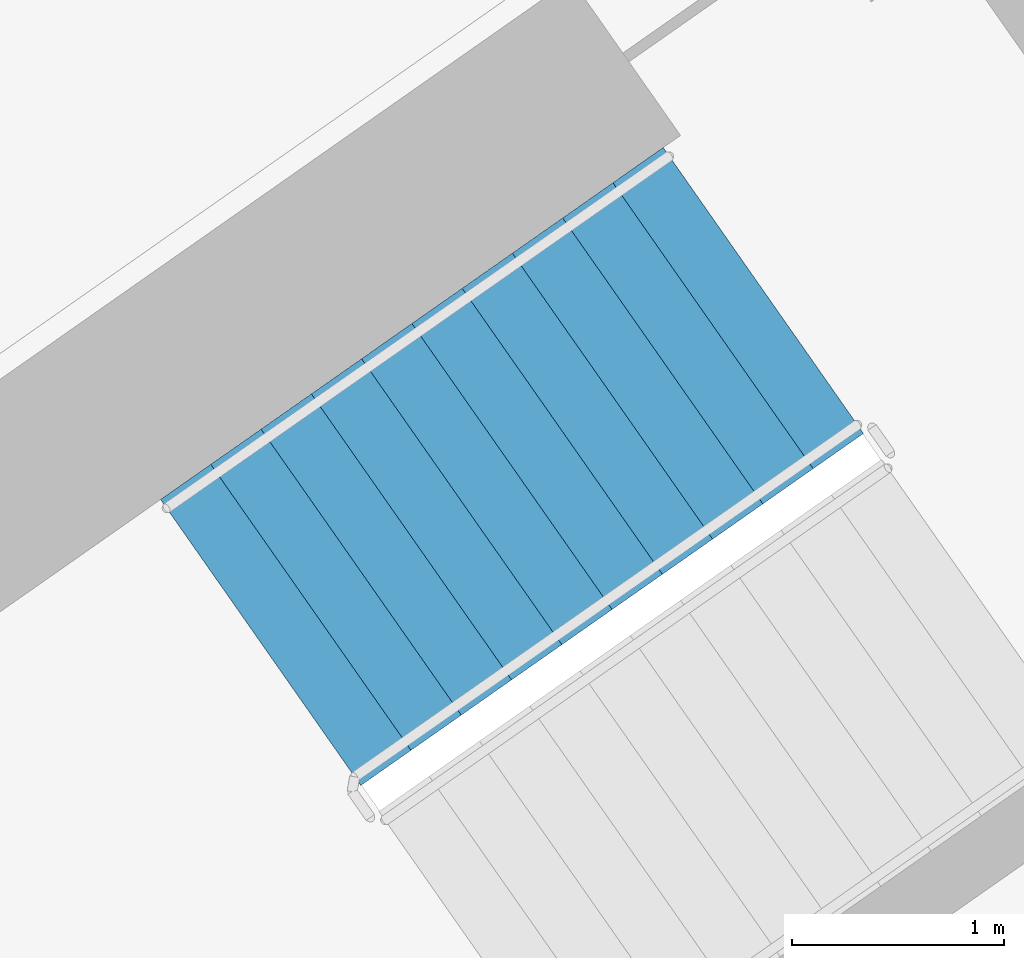
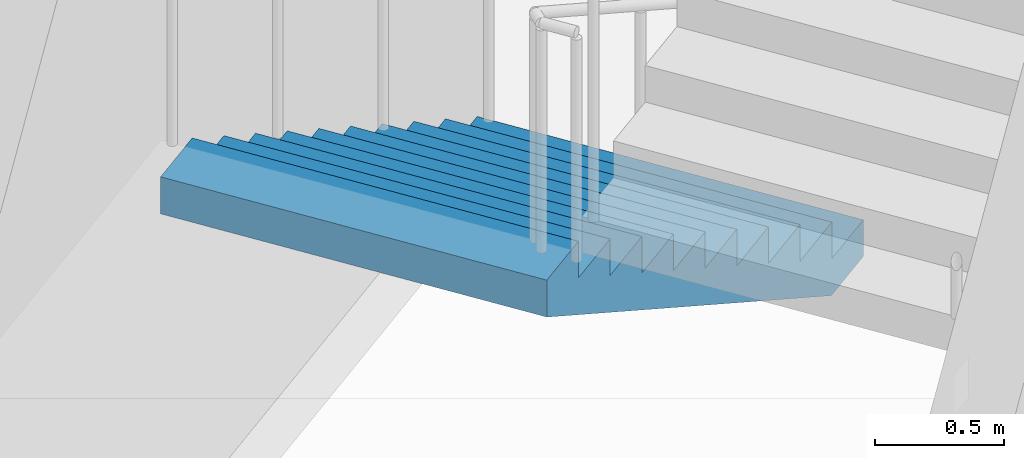
# One storey, part 15 of 33: 1 stair flight, 1 element without a shape of its own.
"""IFC4 building model written with IfcOpenShell, lengths in metres."""

import ifcopenshell
import ifcopenshell.guid

model = None  # the IFC model being written
_history = None  # IfcOwnerHistory: only IFC2X3 demands one
_inside = {}  # id of a spatial element -> (the spatial element, [elements in it])
_under = {}  # id of a project, library or spatial element -> (it, [spatial elements below it])
_declared = {}  # id of a project -> (the project, [libraries it declares])
_typed = {}  # id of a type object -> (the type object, [elements of that type])
_made_of = {}  # id of a material, layer set ... -> (it, [elements and type objects made of it])


def new_model(schema):
    """Start an empty IFC model of exactly this schema.

    Asked for "IFC4X3", IfcOpenShell would pick the latest addendum, in which some entities
    have other attributes; the version numbers below select the first issue.
    IFC2X3 requires an IfcOwnerHistory on every rooted entity: one is made here for all.
    """
    global model, _history
    if schema == "IFC4X3":
        model = ifcopenshell.file(schema_version=(4, 3, 0, 0))
    else:
        model = ifcopenshell.file(schema=schema)
    _inside.clear()
    _under.clear()
    _declared.clear()
    _typed.clear()
    _made_of.clear()
    _history = None
    if model.schema == "IFC2X3":
        org = make("IfcOrganization", Name="unknown")
        user = make(
            "IfcPersonAndOrganization",
            ThePerson=make("IfcPerson", FamilyName="unknown"),
            TheOrganization=org,
        )
        app = make(
            "IfcApplication",
            ApplicationDeveloper=org,
            Version="unknown",
            ApplicationFullName="unknown",
            ApplicationIdentifier="unknown",
        )
        _history = make(
            "IfcOwnerHistory",
            OwningUser=user,
            OwningApplication=app,
            ChangeAction="ADDED",
            CreationDate=0,
        )
    return model


def make(cls, **values):
    """One entity of the class cls with the attributes given. An attribute that is None is left unset."""
    return model.create_entity(
        cls, **{name: value for name, value in values.items() if value is not None}
    )


def rooted(cls, **values):
    """An entity with a GlobalId (a new one), such as an element, a storey or a relation."""
    return make(cls, GlobalId=ifcopenshell.guid.new(), OwnerHistory=_history, **values)


def si_unit(unit_type, name, prefix=None):
    """IfcSIUnit, for example si_unit("LENGTHUNIT", "METRE", prefix="MILLI")."""
    return make("IfcSIUnit", UnitType=unit_type, Prefix=prefix, Name=name)


def assignment(units):
    """IfcUnitAssignment: the units of a project."""
    return None if units is None else make("IfcUnitAssignment", Units=units)


def point(xyz):
    """IfcCartesianPoint."""
    return None if xyz is None else make("IfcCartesianPoint", Coordinates=xyz)


def direction(xyz):
    """IfcDirection."""
    return None if xyz is None else make("IfcDirection", DirectionRatios=xyz)


def frame(location, z_axis=None, x_axis=None):
    """IfcAxis2Placement3D, a coordinate frame: its origin and axes. An axis left out is left unset."""
    return make(
        "IfcAxis2Placement3D",
        Location=point(location),
        Axis=direction(z_axis),
        RefDirection=direction(x_axis),
    )


def origin():
    """The frame at (0, 0, 0) with its axes left unset."""
    return frame((0.0, 0.0, 0.0))


def place(relative_to, where):
    """IfcLocalPlacement: puts the frame where relative to a parent placement (None: the world)."""
    return make(
        "IfcLocalPlacement", PlacementRelTo=relative_to, RelativePlacement=where
    )


def context(
    kind, dimensions, precision=None, world=None, true_north=None, identifier=None
):
    """IfcGeometricRepresentationContext, for example the 3D "Model" context."""
    return make(
        "IfcGeometricRepresentationContext",
        ContextIdentifier=identifier,
        ContextType=kind,
        CoordinateSpaceDimension=dimensions,
        Precision=precision,
        WorldCoordinateSystem=world,
        TrueNorth=true_north,
    )


def subcontext(parent, identifier, kind, view, scale=None):
    """IfcGeometricRepresentationSubContext, for example "Body" below "Model"."""
    return make(
        "IfcGeometricRepresentationSubContext",
        ContextIdentifier=identifier,
        ContextType=kind,
        ParentContext=parent,
        TargetScale=scale,
        TargetView=view,
    )


def project(units=None, contexts=None):
    """IfcProject with its units and contexts."""
    return rooted(
        "IfcProject",
        Name="project",
        RepresentationContexts=contexts,
        UnitsInContext=assignment(units),
    )


def spatial(cls, under=None, at=None, **own):
    """A site, building, storey or space (cls), placed at a placement, below another one or the project."""
    s = rooted(cls, ObjectPlacement=at, **own)
    if under is not None:
        _under.setdefault(under.id(), (under, []))[1].append(s)
    return s


def faces_of(points, faces, orient=None, outer=None):
    """IfcFace entities. A face is a list of loops; a loop is a list of indices into points, from 0.

    orient and outer hold one flag for each loop. By default every Orientation is true, the
    first loop of a face is its IfcFaceOuterBound and the others are IfcFaceBound.
    """
    made = []
    for i, loops in enumerate(faces):
        bounds = []
        for j, loop in enumerate(loops):
            is_outer = j == 0 if outer is None else outer[i][j]
            bounds.append(
                make(
                    "IfcFaceOuterBound" if is_outer else "IfcFaceBound",
                    Bound=make("IfcPolyLoop", Polygon=[points[k] for k in loop]),
                    Orientation=True if orient is None else orient[i][j],
                )
            )
        made.append(make("IfcFace", Bounds=bounds))
    return made


def faceted_brep(points, faces, orient=None, outer=None, voids=None):
    """IfcFacetedBrep: a solid bounded by flat faces; with voids (closed shells), ...WithVoids."""
    shared = [point(p) for p in points]
    hull = make("IfcClosedShell", CfsFaces=faces_of(shared, faces, orient, outer))
    if voids is None:
        return make("IfcFacetedBrep", Outer=hull)
    return make(
        "IfcFacetedBrepWithVoids",
        Outer=hull,
        Voids=[
            make(cls, CfsFaces=faces_of(shared, fs, o, b)) for cls, fs, o, b in voids
        ],
    )


def shape(context_of_items, identifier, shape_type, items):
    """IfcShapeRepresentation: the items that make up one representation, for example the "Body"."""
    return make(
        "IfcShapeRepresentation",
        ContextOfItems=context_of_items,
        RepresentationIdentifier=identifier,
        RepresentationType=shape_type,
        Items=items,
    )


def material(Name=None, Category=None):
    """IfcMaterial."""
    return make("IfcMaterial", Name=Name, Category=Category)


def made_of(thing, what):
    """Note that an element or type object is made of a material, layer set ...; save() writes the relation."""
    if what is not None:
        _made_of.setdefault(what.id(), (what, []))[1].append(thing)
    return thing


def type_object(cls, material=None, **own):
    """A type object (cls), such as IfcWallType, which elements share."""
    return made_of(rooted(cls, **own), material)


def element(
    cls,
    number,
    at=None,
    inside=None,
    cuts=None,
    type_object=None,
    material=None,
    context=None,
    identifier="Body",
    shape_type=None,
    held_by="IfcProductDefinitionShape",
    body=None,
    shapes=None,
    **own,
):
    """One element of the class cls, such as IfcWall. Its Tag is "e" and its number.

    at: its placement. inside: the storey or other place that contains it. cuts: it is an
    opening in that element (IfcRelVoidsElement). A single representation is given by context,
    identifier, shape_type and body (its items); several are given by shapes. held_by: the class
    of the entity that holds the representations. save() writes the other relations.
    """
    e = rooted(cls, Tag="e%d" % number, ObjectPlacement=at, **own)
    if body is not None:
        shapes = [shape(context, identifier, shape_type, body)]
    if shapes is not None:
        e.Representation = make(held_by, Representations=shapes)
    if inside is not None:
        _inside.setdefault(inside.id(), (inside, []))[1].append(e)
    if cuts is not None:
        rooted(
            "IfcRelVoidsElement", RelatingBuildingElement=cuts, RelatedOpeningElement=e
        )
    if type_object is not None:
        _typed.setdefault(type_object.id(), (type_object, []))[1].append(e)
    return made_of(e, material)


def aggregate(whole, parts):
    """IfcRelAggregates: a whole, such as a stair, and the parts it consists of."""
    return rooted("IfcRelAggregates", RelatingObject=whole, RelatedObjects=parts)


def save(model, path):
    """Write the relations noted so far, then the file.

    IfcRelAggregates (storeys below a building ...), IfcRelContainedInSpatialStructure (elements
    in a storey), IfcRelDefinesByType, IfcRelAssociatesMaterial and IfcRelDeclares: one each for
    every whole, place, type object, material and project.
    """
    for whole, parts in _under.values():
        aggregate(whole, parts)
    for where, things in _inside.values():
        rooted(
            "IfcRelContainedInSpatialStructure",
            RelatedElements=things,
            RelatingStructure=where,
        )
    for kind, things in _typed.values():
        rooted("IfcRelDefinesByType", RelatedObjects=things, RelatingType=kind)
    for what, things in _made_of.values():
        rooted("IfcRelAssociatesMaterial", RelatedObjects=things, RelatingMaterial=what)
    for by, libraries in _declared.values():
        rooted("IfcRelDeclares", RelatingContext=by, RelatedDefinitions=libraries)
    model.write(path)


model = new_model("IFC4")

# Units and contexts
model_context = context("Model", 3, precision=1e-05, world=origin(), true_north=direction((0.0, 1.0)))
body_context = subcontext(model_context, "Body", "Model", "MODEL_VIEW")
ifc_project = project(units=[si_unit("LENGTHUNIT", "METRE"), si_unit("AREAUNIT", "SQUARE_METRE"), si_unit("VOLUMEUNIT", "CUBIC_METRE"), si_unit("PLANEANGLEUNIT", "RADIAN"), si_unit("MASSUNIT", "GRAM", prefix="KILO")], contexts=[model_context])

# Site, building, storey
site_placement = place(None, origin())
site = spatial("IfcSite", under=ifc_project, at=site_placement, CompositionType="ELEMENT")
building_placement = place(site_placement, origin())
building = spatial("IfcBuilding", under=site, at=building_placement, Name="Qamariyya Broadcast Tower", CompositionType="ELEMENT")
storey_placement = place(building_placement, frame((0.0, 0.0, 94.89990234375)))
storey = spatial("IfcBuildingStorey", under=building, at=storey_placement, Name="L20", CompositionType="ELEMENT", Elevation=94.89990234375)

# Stair, stair flight
ifc_material = material(Name="Concrete C50/60", Category="concrete")
stair_type = type_object("IfcStairType", Name="Exit stair 22 risers of 173 mm", PredefinedType="HALF_TURN_STAIR", material=ifc_material)
stair_placement = place(storey_placement, origin())
stair = element("IfcStair", 1, at=stair_placement, inside=storey, type_object=stair_type, Name="L20 Stair E2", PredefinedType="HALF_TURN_STAIR")
stair_flight_type = type_object("IfcStairFlightType", Name="Exit stair flight 11 risers of 173 mm", PredefinedType="STRAIGHT", material=ifc_material)
stair_flight_placement = place(storey_placement, frame((40.558837890625, -47.685302734375, 0.0), z_axis=(0.0, 0.0, 1.0), x_axis=(-0.819152044289, -0.573576436351, 0.0)))
stair_flight = element("IfcStairFlight", 2, at=stair_flight_placement, type_object=stair_flight_type, Name="ST-E2 flight 1", NumberOfRisers=11, NumberOfTreads=10, PredefinedType="STRAIGHT", RiserHeight=0.172727273, TreadLength=0.29, context=body_context, shape_type="Brep", body=[
    faceted_brep([(0.0, 0.824951171875, 0.0), (0.0, 0.824951171875, 0.172607421875), (0.2900390625, 0.824951171875, 0.172607421875), (0.2900390625, 0.824951171875, 0.345458984375), (0.580078125, 0.824951171875, 0.345458984375), (0.580078125, 0.824951171875, 0.51806640625), (0.8701171875, 0.824951171875, 0.51806640625), (0.8701171875, 0.824951171875, 0.69091796875), (1.159912109375, 0.824951171875, 0.69091796875), (1.159912109375, 0.824951171875, 0.863525390625), (1.449951171875, 0.824951171875, 0.863525390625), (1.449951171875, 0.824951171875, 1.036376953125), (1.739990234375, 0.824951171875, 1.036376953125), (1.739990234375, 0.824951171875, 1.208984375), (2.030029296875, 0.824951171875, 1.208984375), (2.030029296875, 0.824951171875, 1.3818359375), (2.320068359375, 0.824951171875, 1.3818359375), (2.320068359375, 0.824951171875, 1.554443359375), (2.610107421875, 0.824951171875, 1.554443359375), (2.610107421875, 0.824951171875, 1.727294921875), (2.89990234375, 0.824951171875, 1.727294921875), (2.89990234375, 0.824951171875, 1.552734375), (0.29296875, 0.824951171875, 0.0), (0.29296875, -0.824951171875, 0.0), (2.89990234375, -0.824951171875, 1.552734375), (2.89990234375, -0.824951171875, 1.727294921875), (2.610107421875, -0.824951171875, 1.727294921875), (2.610107421875, -0.824951171875, 1.554443359375), (2.320068359375, -0.824951171875, 1.554443359375), (2.320068359375, -0.824951171875, 1.3818359375), (2.030029296875, -0.824951171875, 1.3818359375), (2.030029296875, -0.824951171875, 1.208984375), (1.739990234375, -0.824951171875, 1.208984375), (1.739990234375, -0.824951171875, 1.036376953125), (1.449951171875, -0.824951171875, 1.036376953125), (1.449951171875, -0.824951171875, 0.863525390625), (1.159912109375, -0.824951171875, 0.863525390625), (1.159912109375, -0.824951171875, 0.69091796875), (0.8701171875, -0.824951171875, 0.69091796875), (0.8701171875, -0.824951171875, 0.51806640625), (0.580078125, -0.824951171875, 0.51806640625), (0.580078125, -0.824951171875, 0.345458984375), (0.2900390625, -0.824951171875, 0.345458984375), (0.2900390625, -0.824951171875, 0.172607421875), (0.0, -0.824951171875, 0.172607421875), (0.0, -0.824951171875, 0.0), (0.0, 0.10009765625, 0.0), (0.0, 0.086669921875, 0.0), (0.0, 0.0732421875, 0.0), (0.0, 0.06005859375, 0.0), (0.0, 0.046630859375, 0.0), (0.0, 0.033447265625, 0.0), (0.0, 0.02001953125, 0.0), (0.0, 0.006591796875, 0.0), (0.0, -0.006591796875, 0.0), (0.0, -0.02001953125, 0.0), (0.0, -0.033447265625, 0.0), (0.0, -0.046630859375, 0.0), (0.0, -0.06005859375, 0.0), (0.0, -0.0732421875, 0.0), (0.0, -0.086669921875, 0.0), (0.0, -0.10009765625, 0.0), (0.0, -0.10009765625, 0.172607421875), (0.0, -0.086669921875, 0.172607421875), (0.0, -0.0732421875, 0.172607421875), (0.0, -0.06005859375, 0.172607421875), (0.0, -0.046630859375, 0.172607421875), (0.0, -0.033447265625, 0.172607421875), (0.0, -0.02001953125, 0.172607421875), (0.0, -0.006591796875, 0.172607421875), (0.0, 0.006591796875, 0.172607421875), (0.0, 0.02001953125, 0.172607421875), (0.0, 0.033447265625, 0.172607421875), (0.0, 0.046630859375, 0.172607421875), (0.0, 0.06005859375, 0.172607421875), (0.0, 0.0732421875, 0.172607421875), (0.0, 0.086669921875, 0.172607421875), (0.0, 0.10009765625, 0.172607421875), (0.2900390625, -0.10009765625, 0.172607421875), (0.2900390625, -0.086669921875, 0.172607421875), (0.2900390625, -0.0732421875, 0.172607421875), (0.2900390625, -0.06005859375, 0.172607421875), (0.2900390625, -0.046630859375, 0.172607421875), (0.2900390625, -0.033447265625, 0.172607421875), (0.2900390625, -0.02001953125, 0.172607421875), (0.2900390625, -0.006591796875, 0.172607421875), (0.2900390625, 0.006591796875, 0.172607421875), (0.2900390625, 0.02001953125, 0.172607421875), (0.2900390625, 0.033447265625, 0.172607421875), (0.2900390625, 0.046630859375, 0.172607421875), (0.2900390625, 0.06005859375, 0.172607421875), (0.2900390625, 0.0732421875, 0.172607421875), (0.2900390625, 0.086669921875, 0.172607421875), (0.2900390625, 0.10009765625, 0.172607421875), (0.2900390625, -0.10009765625, 0.345458984375), (0.2900390625, -0.086669921875, 0.345458984375), (0.2900390625, -0.0732421875, 0.345458984375), (0.2900390625, -0.06005859375, 0.345458984375), (0.2900390625, -0.046630859375, 0.345458984375), (0.2900390625, -0.033447265625, 0.345458984375), (0.2900390625, -0.02001953125, 0.345458984375), (0.2900390625, -0.006591796875, 0.345458984375), (0.2900390625, 0.006591796875, 0.345458984375), (0.2900390625, 0.02001953125, 0.345458984375), (0.2900390625, 0.033447265625, 0.345458984375), (0.2900390625, 0.046630859375, 0.345458984375), (0.2900390625, 0.06005859375, 0.345458984375), (0.2900390625, 0.0732421875, 0.345458984375), (0.2900390625, 0.086669921875, 0.345458984375), (0.2900390625, 0.10009765625, 0.345458984375), (0.580078125, -0.10009765625, 0.345458984375), (0.580078125, -0.086669921875, 0.345458984375), (0.580078125, -0.0732421875, 0.345458984375), (0.580078125, -0.06005859375, 0.345458984375), (0.580078125, -0.046630859375, 0.345458984375), (0.580078125, -0.033447265625, 0.345458984375), (0.580078125, -0.02001953125, 0.345458984375), (0.580078125, -0.006591796875, 0.345458984375), (0.580078125, 0.006591796875, 0.345458984375), (0.580078125, 0.02001953125, 0.345458984375), (0.580078125, 0.033447265625, 0.345458984375), (0.580078125, 0.046630859375, 0.345458984375), (0.580078125, 0.06005859375, 0.345458984375), (0.580078125, 0.0732421875, 0.345458984375), (0.580078125, 0.086669921875, 0.345458984375), (0.580078125, 0.10009765625, 0.345458984375), (0.580078125, -0.10009765625, 0.51806640625), (0.580078125, -0.086669921875, 0.51806640625), (0.580078125, -0.0732421875, 0.51806640625), (0.580078125, -0.06005859375, 0.51806640625), (0.580078125, -0.046630859375, 0.51806640625), (0.580078125, -0.033447265625, 0.51806640625), (0.580078125, -0.02001953125, 0.51806640625), (0.580078125, -0.006591796875, 0.51806640625), (0.580078125, 0.006591796875, 0.51806640625), (0.580078125, 0.02001953125, 0.51806640625), (0.580078125, 0.033447265625, 0.51806640625), (0.580078125, 0.046630859375, 0.51806640625), (0.580078125, 0.06005859375, 0.51806640625), (0.580078125, 0.0732421875, 0.51806640625), (0.580078125, 0.086669921875, 0.51806640625), (0.580078125, 0.10009765625, 0.51806640625), (0.8701171875, -0.10009765625, 0.51806640625), (0.8701171875, -0.086669921875, 0.51806640625), (0.8701171875, -0.0732421875, 0.51806640625), (0.8701171875, -0.06005859375, 0.51806640625), (0.8701171875, -0.046630859375, 0.51806640625), (0.8701171875, -0.033447265625, 0.51806640625), (0.8701171875, -0.02001953125, 0.51806640625), (0.8701171875, -0.006591796875, 0.51806640625), (0.8701171875, 0.006591796875, 0.51806640625), (0.8701171875, 0.02001953125, 0.51806640625), (0.8701171875, 0.033447265625, 0.51806640625), (0.8701171875, 0.046630859375, 0.51806640625), (0.8701171875, 0.06005859375, 0.51806640625), (0.8701171875, 0.0732421875, 0.51806640625), (0.8701171875, 0.086669921875, 0.51806640625), (0.8701171875, 0.10009765625, 0.51806640625), (0.8701171875, -0.10009765625, 0.69091796875), (0.8701171875, -0.086669921875, 0.69091796875), (0.8701171875, -0.0732421875, 0.69091796875), (0.8701171875, -0.06005859375, 0.69091796875), (0.8701171875, -0.046630859375, 0.69091796875), (0.8701171875, -0.033447265625, 0.69091796875), (0.8701171875, -0.02001953125, 0.69091796875), (0.8701171875, -0.006591796875, 0.69091796875), (0.8701171875, 0.006591796875, 0.69091796875), (0.8701171875, 0.02001953125, 0.69091796875), (0.8701171875, 0.033447265625, 0.69091796875), (0.8701171875, 0.046630859375, 0.69091796875), (0.8701171875, 0.06005859375, 0.69091796875), (0.8701171875, 0.0732421875, 0.69091796875), (0.8701171875, 0.086669921875, 0.69091796875), (0.8701171875, 0.10009765625, 0.69091796875), (1.159912109375, -0.10009765625, 0.69091796875), (1.159912109375, -0.086669921875, 0.69091796875), (1.159912109375, -0.0732421875, 0.69091796875), (1.159912109375, -0.06005859375, 0.69091796875), (1.159912109375, -0.046630859375, 0.69091796875), (1.159912109375, -0.033447265625, 0.69091796875), (1.159912109375, -0.02001953125, 0.69091796875), (1.159912109375, -0.006591796875, 0.69091796875), (1.159912109375, 0.006591796875, 0.69091796875), (1.159912109375, 0.02001953125, 0.69091796875), (1.159912109375, 0.033447265625, 0.69091796875), (1.159912109375, 0.046630859375, 0.69091796875), (1.159912109375, 0.06005859375, 0.69091796875), (1.159912109375, 0.0732421875, 0.69091796875), (1.159912109375, 0.086669921875, 0.69091796875), (1.159912109375, 0.10009765625, 0.69091796875), (1.159912109375, -0.10009765625, 0.863525390625), (1.159912109375, -0.086669921875, 0.863525390625), (1.159912109375, -0.0732421875, 0.863525390625), (1.159912109375, -0.06005859375, 0.863525390625), (1.159912109375, -0.046630859375, 0.863525390625), (1.159912109375, -0.033447265625, 0.863525390625), (1.159912109375, -0.02001953125, 0.863525390625), (1.159912109375, -0.006591796875, 0.863525390625), (1.159912109375, 0.006591796875, 0.863525390625), (1.159912109375, 0.02001953125, 0.863525390625), (1.159912109375, 0.033447265625, 0.863525390625), (1.159912109375, 0.046630859375, 0.863525390625), (1.159912109375, 0.06005859375, 0.863525390625), (1.159912109375, 0.0732421875, 0.863525390625), (1.159912109375, 0.086669921875, 0.863525390625), (1.159912109375, 0.10009765625, 0.863525390625), (1.449951171875, -0.10009765625, 0.863525390625), (1.449951171875, -0.086669921875, 0.863525390625), (1.449951171875, -0.0732421875, 0.863525390625), (1.449951171875, -0.06005859375, 0.863525390625), (1.449951171875, -0.046630859375, 0.863525390625), (1.449951171875, -0.033447265625, 0.863525390625), (1.449951171875, -0.02001953125, 0.863525390625), (1.449951171875, -0.006591796875, 0.863525390625), (1.449951171875, 0.006591796875, 0.863525390625), (1.449951171875, 0.02001953125, 0.863525390625), (1.449951171875, 0.033447265625, 0.863525390625), (1.449951171875, 0.046630859375, 0.863525390625), (1.449951171875, 0.06005859375, 0.863525390625), (1.449951171875, 0.0732421875, 0.863525390625), (1.449951171875, 0.086669921875, 0.863525390625), (1.449951171875, 0.10009765625, 0.863525390625), (1.449951171875, -0.10009765625, 1.036376953125), (1.449951171875, -0.086669921875, 1.036376953125), (1.449951171875, -0.0732421875, 1.036376953125), (1.449951171875, -0.06005859375, 1.036376953125), (1.449951171875, -0.046630859375, 1.036376953125), (1.449951171875, -0.033447265625, 1.036376953125), (1.449951171875, -0.02001953125, 1.036376953125), (1.449951171875, -0.006591796875, 1.036376953125), (1.449951171875, 0.006591796875, 1.036376953125), (1.449951171875, 0.02001953125, 1.036376953125), (1.449951171875, 0.033447265625, 1.036376953125), (1.449951171875, 0.046630859375, 1.036376953125), (1.449951171875, 0.06005859375, 1.036376953125), (1.449951171875, 0.0732421875, 1.036376953125), (1.449951171875, 0.086669921875, 1.036376953125), (1.449951171875, 0.10009765625, 1.036376953125), (1.739990234375, -0.10009765625, 1.036376953125), (1.739990234375, -0.086669921875, 1.036376953125), (1.739990234375, -0.0732421875, 1.036376953125), (1.739990234375, -0.06005859375, 1.036376953125), (1.739990234375, -0.046630859375, 1.036376953125), (1.739990234375, -0.033447265625, 1.036376953125), (1.739990234375, -0.02001953125, 1.036376953125), (1.739990234375, -0.006591796875, 1.036376953125), (1.739990234375, 0.006591796875, 1.036376953125), (1.739990234375, 0.02001953125, 1.036376953125), (1.739990234375, 0.033447265625, 1.036376953125), (1.739990234375, 0.046630859375, 1.036376953125), (1.739990234375, 0.06005859375, 1.036376953125), (1.739990234375, 0.0732421875, 1.036376953125), (1.739990234375, 0.086669921875, 1.036376953125), (1.739990234375, 0.10009765625, 1.036376953125), (1.739990234375, -0.10009765625, 1.208984375), (1.739990234375, -0.086669921875, 1.208984375), (1.739990234375, -0.0732421875, 1.208984375), (1.739990234375, -0.06005859375, 1.208984375), (1.739990234375, -0.046630859375, 1.208984375), (1.739990234375, -0.033447265625, 1.208984375), (1.739990234375, -0.02001953125, 1.208984375), (1.739990234375, -0.006591796875, 1.208984375), (1.739990234375, 0.006591796875, 1.208984375), (1.739990234375, 0.02001953125, 1.208984375), (1.739990234375, 0.033447265625, 1.208984375), (1.739990234375, 0.046630859375, 1.208984375), (1.739990234375, 0.06005859375, 1.208984375), (1.739990234375, 0.0732421875, 1.208984375), (1.739990234375, 0.086669921875, 1.208984375), (1.739990234375, 0.10009765625, 1.208984375), (2.030029296875, -0.10009765625, 1.208984375), (2.030029296875, -0.086669921875, 1.208984375), (2.030029296875, -0.0732421875, 1.208984375), (2.030029296875, -0.06005859375, 1.208984375), (2.030029296875, -0.046630859375, 1.208984375), (2.030029296875, -0.033447265625, 1.208984375), (2.030029296875, -0.02001953125, 1.208984375), (2.030029296875, -0.006591796875, 1.208984375), (2.030029296875, 0.006591796875, 1.208984375), (2.030029296875, 0.02001953125, 1.208984375), (2.030029296875, 0.033447265625, 1.208984375), (2.030029296875, 0.046630859375, 1.208984375), (2.030029296875, 0.06005859375, 1.208984375), (2.030029296875, 0.0732421875, 1.208984375), (2.030029296875, 0.086669921875, 1.208984375), (2.030029296875, 0.10009765625, 1.208984375), (2.030029296875, -0.10009765625, 1.3818359375), (2.030029296875, -0.086669921875, 1.3818359375), (2.030029296875, -0.0732421875, 1.3818359375), (2.030029296875, -0.06005859375, 1.3818359375), (2.030029296875, -0.046630859375, 1.3818359375), (2.030029296875, -0.033447265625, 1.3818359375), (2.030029296875, -0.02001953125, 1.3818359375), (2.030029296875, -0.006591796875, 1.3818359375), (2.030029296875, 0.006591796875, 1.3818359375), (2.030029296875, 0.02001953125, 1.3818359375), (2.030029296875, 0.033447265625, 1.3818359375), (2.030029296875, 0.046630859375, 1.3818359375), (2.030029296875, 0.06005859375, 1.3818359375), (2.030029296875, 0.0732421875, 1.3818359375), (2.030029296875, 0.086669921875, 1.3818359375), (2.030029296875, 0.10009765625, 1.3818359375), (2.320068359375, -0.10009765625, 1.3818359375), (2.320068359375, -0.086669921875, 1.3818359375), (2.320068359375, -0.0732421875, 1.3818359375), (2.320068359375, -0.06005859375, 1.3818359375), (2.320068359375, -0.046630859375, 1.3818359375), (2.320068359375, -0.033447265625, 1.3818359375), (2.320068359375, -0.02001953125, 1.3818359375), (2.320068359375, -0.006591796875, 1.3818359375), (2.320068359375, 0.006591796875, 1.3818359375), (2.320068359375, 0.02001953125, 1.3818359375), (2.320068359375, 0.033447265625, 1.3818359375), (2.320068359375, 0.046630859375, 1.3818359375), (2.320068359375, 0.06005859375, 1.3818359375), (2.320068359375, 0.0732421875, 1.3818359375), (2.320068359375, 0.086669921875, 1.3818359375), (2.320068359375, 0.10009765625, 1.3818359375), (2.320068359375, -0.10009765625, 1.554443359375), (2.320068359375, -0.086669921875, 1.554443359375), (2.320068359375, -0.0732421875, 1.554443359375), (2.320068359375, -0.06005859375, 1.554443359375), (2.320068359375, -0.046630859375, 1.554443359375), (2.320068359375, -0.033447265625, 1.554443359375), (2.320068359375, -0.02001953125, 1.554443359375), (2.320068359375, -0.006591796875, 1.554443359375), (2.320068359375, 0.006591796875, 1.554443359375), (2.320068359375, 0.02001953125, 1.554443359375), (2.320068359375, 0.033447265625, 1.554443359375), (2.320068359375, 0.046630859375, 1.554443359375), (2.320068359375, 0.06005859375, 1.554443359375), (2.320068359375, 0.0732421875, 1.554443359375), (2.320068359375, 0.086669921875, 1.554443359375), (2.320068359375, 0.10009765625, 1.554443359375), (2.610107421875, -0.10009765625, 1.554443359375), (2.610107421875, -0.086669921875, 1.554443359375), (2.610107421875, -0.0732421875, 1.554443359375), (2.610107421875, -0.06005859375, 1.554443359375), (2.610107421875, -0.046630859375, 1.554443359375), (2.610107421875, -0.033447265625, 1.554443359375), (2.610107421875, -0.02001953125, 1.554443359375), (2.610107421875, -0.006591796875, 1.554443359375), (2.610107421875, 0.006591796875, 1.554443359375), (2.610107421875, 0.02001953125, 1.554443359375), (2.610107421875, 0.033447265625, 1.554443359375), (2.610107421875, 0.046630859375, 1.554443359375), (2.610107421875, 0.06005859375, 1.554443359375), (2.610107421875, 0.0732421875, 1.554443359375), (2.610107421875, 0.086669921875, 1.554443359375), (2.610107421875, 0.10009765625, 1.554443359375), (2.610107421875, -0.10009765625, 1.727294921875), (2.610107421875, -0.086669921875, 1.727294921875), (2.610107421875, -0.0732421875, 1.727294921875), (2.610107421875, -0.06005859375, 1.727294921875), (2.610107421875, -0.046630859375, 1.727294921875), (2.610107421875, -0.033447265625, 1.727294921875), (2.610107421875, -0.02001953125, 1.727294921875), (2.610107421875, -0.006591796875, 1.727294921875), (2.610107421875, 0.006591796875, 1.727294921875), (2.610107421875, 0.02001953125, 1.727294921875), (2.610107421875, 0.033447265625, 1.727294921875), (2.610107421875, 0.046630859375, 1.727294921875), (2.610107421875, 0.06005859375, 1.727294921875), (2.610107421875, 0.0732421875, 1.727294921875), (2.610107421875, 0.086669921875, 1.727294921875), (2.610107421875, 0.10009765625, 1.727294921875), (2.89990234375, -0.10009765625, 1.727294921875), (2.89990234375, -0.086669921875, 1.727294921875), (2.89990234375, -0.0732421875, 1.727294921875), (2.89990234375, -0.06005859375, 1.727294921875), (2.89990234375, -0.046630859375, 1.727294921875), (2.89990234375, -0.033447265625, 1.727294921875), (2.89990234375, -0.02001953125, 1.727294921875), (2.89990234375, -0.006591796875, 1.727294921875), (2.89990234375, 0.006591796875, 1.727294921875), (2.89990234375, 0.02001953125, 1.727294921875), (2.89990234375, 0.033447265625, 1.727294921875), (2.89990234375, 0.046630859375, 1.727294921875), (2.89990234375, 0.06005859375, 1.727294921875), (2.89990234375, 0.0732421875, 1.727294921875), (2.89990234375, 0.086669921875, 1.727294921875), (2.89990234375, 0.10009765625, 1.727294921875), (2.89990234375, -0.10009765625, 1.552734375), (2.89990234375, -0.086669921875, 1.552734375), (2.89990234375, -0.0732421875, 1.552734375), (2.89990234375, -0.06005859375, 1.552734375), (2.89990234375, -0.046630859375, 1.552734375), (2.89990234375, -0.033447265625, 1.552734375), (2.89990234375, -0.02001953125, 1.552734375), (2.89990234375, -0.006591796875, 1.552734375), (2.89990234375, 0.006591796875, 1.552734375), (2.89990234375, 0.02001953125, 1.552734375), (2.89990234375, 0.033447265625, 1.552734375), (2.89990234375, 0.046630859375, 1.552734375), (2.89990234375, 0.06005859375, 1.552734375), (2.89990234375, 0.0732421875, 1.552734375), (2.89990234375, 0.086669921875, 1.552734375), (2.89990234375, 0.10009765625, 1.552734375), (0.29296875, -0.10009765625, 0.0), (0.29296875, -0.086669921875, 0.0), (0.29296875, -0.0732421875, 0.0), (0.29296875, -0.06005859375, 0.0), (0.29296875, -0.046630859375, 0.0), (0.29296875, -0.033447265625, 0.0), (0.29296875, -0.02001953125, 0.0), (0.29296875, -0.006591796875, 0.0), (0.29296875, 0.006591796875, 0.0), (0.29296875, 0.02001953125, 0.0), (0.29296875, 0.033447265625, 0.0), (0.29296875, 0.046630859375, 0.0), (0.29296875, 0.06005859375, 0.0), (0.29296875, 0.0732421875, 0.0), (0.29296875, 0.086669921875, 0.0), (0.29296875, 0.10009765625, 0.0)], [[[0, 1, 2, 3, 4, 5, 6, 7, 8, 9, 10, 11, 12, 13, 14, 15, 16, 17, 18, 19, 20, 21, 22]], [[23, 24, 25, 26, 27, 28, 29, 30, 31, 32, 33, 34, 35, 36, 37, 38, 39, 40, 41, 42, 43, 44, 45]], [[0, 46, 47, 48, 49, 50, 51, 52, 53, 54, 55, 56, 57, 58, 59, 60, 61, 45, 44, 62, 63, 64, 65, 66, 67, 68, 69, 70, 71, 72, 73, 74, 75, 76, 77, 1]], [[1, 77, 76, 75, 74, 73, 72, 71, 70, 69, 68, 67, 66, 65, 64, 63, 62, 44, 43, 78, 79, 80, 81, 82, 83, 84, 85, 86, 87, 88, 89, 90, 91, 92, 93, 2]], [[2, 93, 92, 91, 90, 89, 88, 87, 86, 85, 84, 83, 82, 81, 80, 79, 78, 43, 42, 94, 95, 96, 97, 98, 99, 100, 101, 102, 103, 104, 105, 106, 107, 108, 109, 3]], [[3, 109, 108, 107, 106, 105, 104, 103, 102, 101, 100, 99, 98, 97, 96, 95, 94, 42, 41, 110, 111, 112, 113, 114, 115, 116, 117, 118, 119, 120, 121, 122, 123, 124, 125, 4]], [[4, 125, 124, 123, 122, 121, 120, 119, 118, 117, 116, 115, 114, 113, 112, 111, 110, 41, 40, 126, 127, 128, 129, 130, 131, 132, 133, 134, 135, 136, 137, 138, 139, 140, 141, 5]], [[5, 141, 140, 139, 138, 137, 136, 135, 134, 133, 132, 131, 130, 129, 128, 127, 126, 40, 39, 142, 143, 144, 145, 146, 147, 148, 149, 150, 151, 152, 153, 154, 155, 156, 157, 6]], [[6, 157, 156, 155, 154, 153, 152, 151, 150, 149, 148, 147, 146, 145, 144, 143, 142, 39, 38, 158, 159, 160, 161, 162, 163, 164, 165, 166, 167, 168, 169, 170, 171, 172, 173, 7]], [[7, 173, 172, 171, 170, 169, 168, 167, 166, 165, 164, 163, 162, 161, 160, 159, 158, 38, 37, 174, 175, 176, 177, 178, 179, 180, 181, 182, 183, 184, 185, 186, 187, 188, 189, 8]], [[8, 189, 188, 187, 186, 185, 184, 183, 182, 181, 180, 179, 178, 177, 176, 175, 174, 37, 36, 190, 191, 192, 193, 194, 195, 196, 197, 198, 199, 200, 201, 202, 203, 204, 205, 9]], [[9, 205, 204, 203, 202, 201, 200, 199, 198, 197, 196, 195, 194, 193, 192, 191, 190, 36, 35, 206, 207, 208, 209, 210, 211, 212, 213, 214, 215, 216, 217, 218, 219, 220, 221, 10]], [[10, 221, 220, 219, 218, 217, 216, 215, 214, 213, 212, 211, 210, 209, 208, 207, 206, 35, 34, 222, 223, 224, 225, 226, 227, 228, 229, 230, 231, 232, 233, 234, 235, 236, 237, 11]], [[11, 237, 236, 235, 234, 233, 232, 231, 230, 229, 228, 227, 226, 225, 224, 223, 222, 34, 33, 238, 239, 240, 241, 242, 243, 244, 245, 246, 247, 248, 249, 250, 251, 252, 253, 12]], [[12, 253, 252, 251, 250, 249, 248, 247, 246, 245, 244, 243, 242, 241, 240, 239, 238, 33, 32, 254, 255, 256, 257, 258, 259, 260, 261, 262, 263, 264, 265, 266, 267, 268, 269, 13]], [[13, 269, 268, 267, 266, 265, 264, 263, 262, 261, 260, 259, 258, 257, 256, 255, 254, 32, 31, 270, 271, 272, 273, 274, 275, 276, 277, 278, 279, 280, 281, 282, 283, 284, 285, 14]], [[14, 285, 284, 283, 282, 281, 280, 279, 278, 277, 276, 275, 274, 273, 272, 271, 270, 31, 30, 286, 287, 288, 289, 290, 291, 292, 293, 294, 295, 296, 297, 298, 299, 300, 301, 15]], [[15, 301, 300, 299, 298, 297, 296, 295, 294, 293, 292, 291, 290, 289, 288, 287, 286, 30, 29, 302, 303, 304, 305, 306, 307, 308, 309, 310, 311, 312, 313, 314, 315, 316, 317, 16]], [[16, 317, 316, 315, 314, 313, 312, 311, 310, 309, 308, 307, 306, 305, 304, 303, 302, 29, 28, 318, 319, 320, 321, 322, 323, 324, 325, 326, 327, 328, 329, 330, 331, 332, 333, 17]], [[17, 333, 332, 331, 330, 329, 328, 327, 326, 325, 324, 323, 322, 321, 320, 319, 318, 28, 27, 334, 335, 336, 337, 338, 339, 340, 341, 342, 343, 344, 345, 346, 347, 348, 349, 18]], [[18, 349, 348, 347, 346, 345, 344, 343, 342, 341, 340, 339, 338, 337, 336, 335, 334, 27, 26, 350, 351, 352, 353, 354, 355, 356, 357, 358, 359, 360, 361, 362, 363, 364, 365, 19]], [[19, 365, 364, 363, 362, 361, 360, 359, 358, 357, 356, 355, 354, 353, 352, 351, 350, 26, 25, 366, 367, 368, 369, 370, 371, 372, 373, 374, 375, 376, 377, 378, 379, 380, 381, 20]], [[20, 381, 380, 379, 378, 377, 376, 375, 374, 373, 372, 371, 370, 369, 368, 367, 366, 25, 24, 382, 383, 384, 385, 386, 387, 388, 389, 390, 391, 392, 393, 394, 395, 396, 397, 21]], [[21, 397, 396, 395, 394, 393, 392, 391, 390, 389, 388, 387, 386, 385, 384, 383, 382, 24, 23, 398, 399, 400, 401, 402, 403, 404, 405, 406, 407, 408, 409, 410, 411, 412, 413, 22]], [[22, 413, 412, 411, 410, 409, 408, 407, 406, 405, 404, 403, 402, 401, 400, 399, 398, 23, 45, 61, 60, 59, 58, 57, 56, 55, 54, 53, 52, 51, 50, 49, 48, 47, 46, 0]]]),
])
aggregate(stair, [stair_flight])

save(model, "model.ifc")
